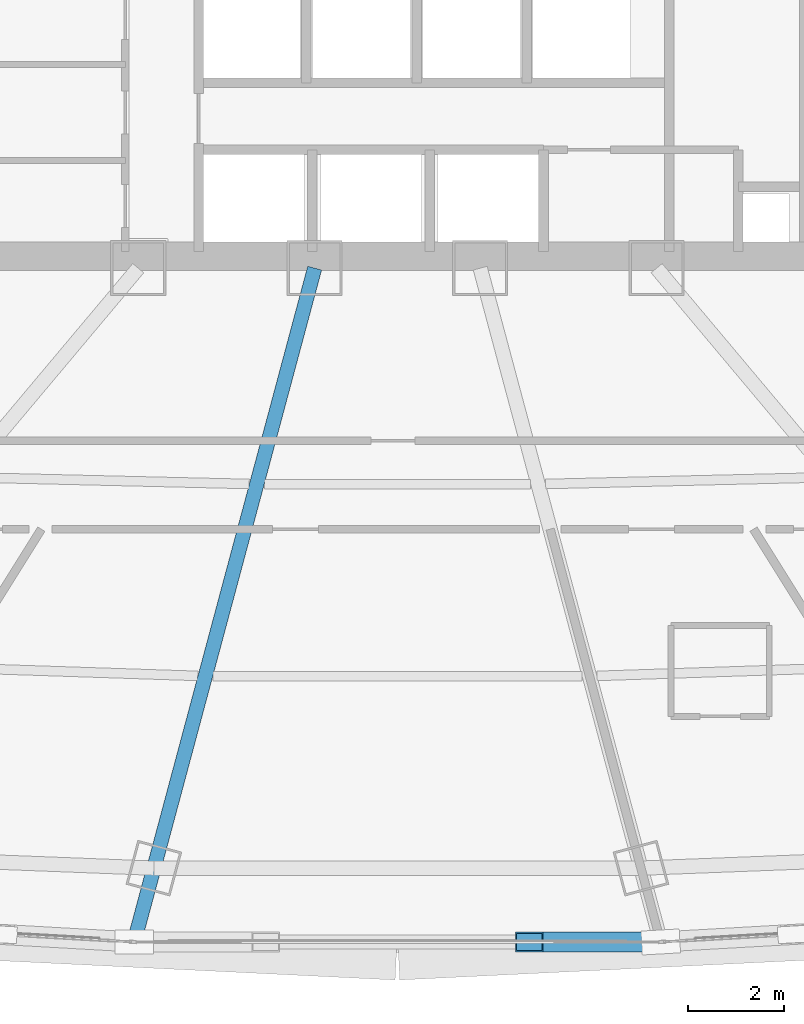
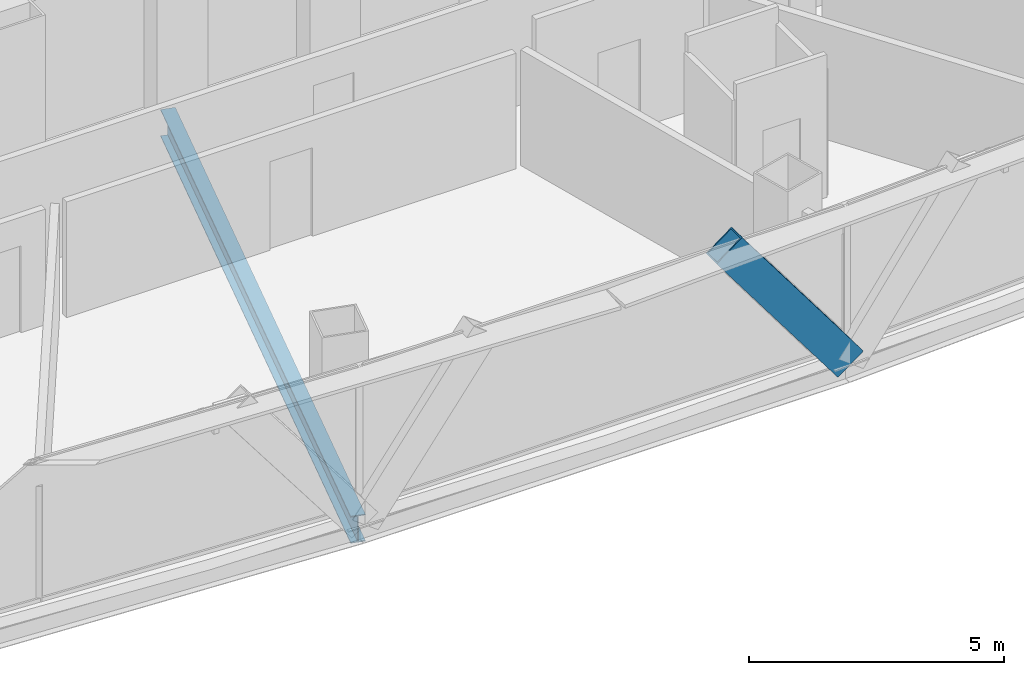
# One storey, part 11 of 39: 1 beam, 1 member.
"""IFC4 building model written with IfcOpenShell, lengths in metres."""

from ifc_helpers import new_model, si_unit, direction, frame, origin, origin_2d, place, context, subcontext, project, spatial, hollow_rectangle, i_section, extrude, source, transform, mapped, material, material_profile, profile_set, type_object, element, save


model = new_model("IFC4")

# Units and contexts
model_context = context("Model", 3, precision=1e-05, world=origin(), true_north=direction((0.0, 1.0)))
body_context = subcontext(model_context, "Body", "Model", "MODEL_VIEW")
ifc_project = project(units=[si_unit("LENGTHUNIT", "METRE"), si_unit("AREAUNIT", "SQUARE_METRE"), si_unit("VOLUMEUNIT", "CUBIC_METRE"), si_unit("PLANEANGLEUNIT", "RADIAN"), si_unit("MASSUNIT", "GRAM", prefix="KILO"), si_unit("THERMODYNAMICTEMPERATUREUNIT", "KELVIN"), si_unit("POWERUNIT", "WATT")], contexts=[model_context])

# Site, building, storey
site_placement = place(None, origin())
site = spatial("IfcSite", under=ifc_project, at=site_placement, CompositionType="ELEMENT")
building_placement = place(site_placement, origin())
building = spatial("IfcBuilding", under=site, at=building_placement, Name="Yunzhuo Pagoda Commons", CompositionType="ELEMENT")
storey_placement = place(building_placement, frame((0.0, 0.0, 144.550048828125)))
storey = spatial("IfcBuildingStorey", under=building, at=storey_placement, Name="L36", CompositionType="ELEMENT", Elevation=144.550048828125)

# Beam
ifc_material_1 = material(Name="Structural steel Q355B", Category="steel")
ifc_material_profile_1 = material_profile(ifc_material_1, i_section(OverallWidth=0.300048828125, OverallDepth=0.64990234375, WebThickness=0.012939453125, FlangeThickness=0.02197265625, at=origin_2d()), Name="Structural steel Q355B")
ifc_profile_set_1 = profile_set([ifc_material_profile_1], Name="Structural steel Q355B")
beam_type = type_object("IfcBeamType", Name="B-RG2 Beam HN 650x300x13x22", PredefinedType="BEAM", material=ifc_profile_set_1)
shared_shape_1 = source(origin(), body_context, "Body", "SweptSolid", [
    extrude(i_section(OverallWidth=0.300048828125, OverallDepth=0.64990234375, WebThickness=0.012939453125, FlangeThickness=0.02197265625, at=origin_2d()), origin(), (0.0, 0.0, 1.0), 14.41064453125),
])
beam_placement = place(storey_placement, frame((42.5419921875, 13.330322265625, -0.5849609375), z_axis=(0.258832904267, 0.965922112631, 0.0), x_axis=(-0.965922112631, 0.258832904267, 0.0)))
element("IfcBeam", 1, at=beam_placement, inside=storey, type_object=beam_type, Name="L36 radial floor girder F1C2", PredefinedType="BEAM", context=body_context, shape_type="MappedRepresentation", body=[
    mapped(shared_shape_1, transform((0.0, 0.0, 0.0), scale=1.0)),
])

# Member
ifc_material_2 = material(Name="Structural steel Q420B", Category="steel")
ifc_material_profile_2 = material_profile(ifc_material_2, hollow_rectangle(XDim=0.419921875, YDim=0.719970703125, WallThickness=0.028076171875, at=origin_2d()), Name="Structural steel Q420B")
ifc_profile_set_2 = profile_set([ifc_material_profile_2], Name="Structural steel Q420B")
member_type = type_object("IfcMemberType", Name="M-DL1 Brace BOX 720x420x28", PredefinedType="BRACE", material=ifc_profile_set_2)
shared_shape_2 = source(origin(), body_context, "Body", "SweptSolid", [
    extrude(hollow_rectangle(XDim=0.419921875, YDim=0.719970703125, WallThickness=0.028076171875, at=origin_2d()), origin(), (0.0, 0.0, 1.0), 4.59326171875),
])
member_placement = place(storey_placement, frame((53.498046875, 13.1806640625, -0.260009765625), z_axis=(-0.598476678281, 0.0, 0.801140228395), x_axis=(0.0, -1.0, 0.0)))
element("IfcMember", 2, at=member_placement, inside=storey, type_object=member_type, Name="L36 facade diamond brace F1.2R", PredefinedType="BRACE", context=body_context, shape_type="MappedRepresentation", body=[
    mapped(shared_shape_2, transform((0.0, 0.0, 0.0), scale=1.0)),
])

save(model, "model.ifc")
